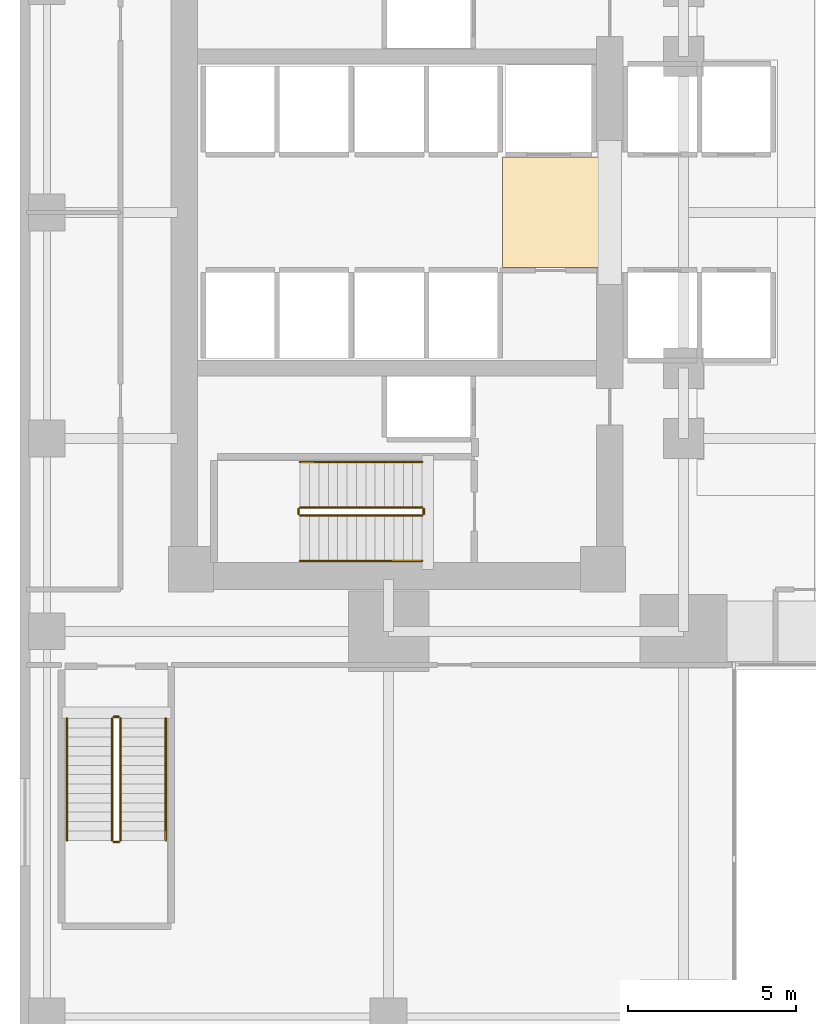
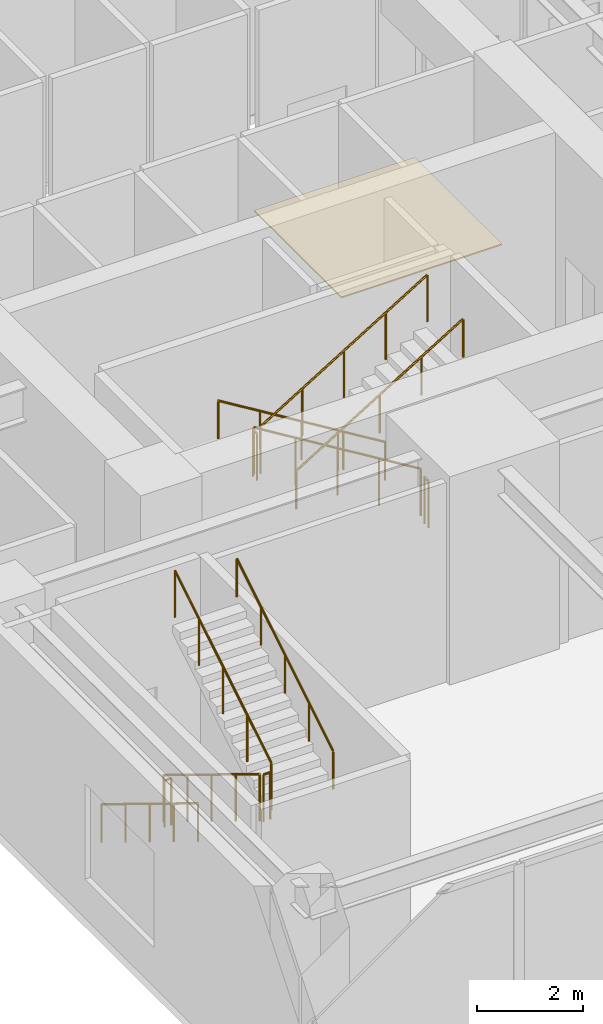
# One storey, part 12 of 13: 12 railings, 1 covering.
"""IFC4 building model written with IfcOpenShell, lengths in metres."""

from ifc_helpers import new_model, si_unit, direction, frame, origin, origin_2d, place, context, subcontext, project, spatial, polyline, circle, outline, extrude, material, layer, layer_set, type_object, element, save


model = new_model("IFC4")

# Units and contexts
model_context = context("Model", 3, precision=1e-05, world=origin(), true_north=direction((0.0, 1.0)))
body_context = subcontext(model_context, "Body", "Model", "MODEL_VIEW")
ifc_project = project(units=[si_unit("LENGTHUNIT", "METRE"), si_unit("AREAUNIT", "SQUARE_METRE"), si_unit("VOLUMEUNIT", "CUBIC_METRE"), si_unit("PLANEANGLEUNIT", "RADIAN"), si_unit("MASSUNIT", "GRAM", prefix="KILO")], contexts=[model_context])

# Site, building, storey
site_placement = place(None, origin())
site = spatial("IfcSite", under=ifc_project, at=site_placement, CompositionType="ELEMENT")
building_placement = place(site_placement, origin())
building = spatial("IfcBuilding", under=site, at=building_placement, Name="Kinhvarn Gate Tower", CompositionType="ELEMENT")
storey_placement = place(building_placement, frame((0.0, 0.0, 15.60009765625)))
storey = spatial("IfcBuildingStorey", under=building, at=storey_placement, Name="L03", CompositionType="ELEMENT", Elevation=15.60009765625)

# Covering
ifc_material_1 = material(Name="Honed granite architectural paving", Category="masonry")
ifc_layer = layer(ifc_material_1, 0.030029296875)
ifc_layer_set = layer_set([ifc_layer], Name="Honed granite architectural paving")
covering_type = type_object("IfcCoveringType", Name="COV-FLR-30", PredefinedType="FLOORING", material=ifc_layer_set)
covering_placement = place(storey_placement, origin())
element("IfcCovering", 1, at=covering_placement, inside=storey, type_object=covering_type, Name="Honed Granite Lift Lobby Flooring (L03)", PredefinedType="FLOORING", context=body_context, shape_type="SweptSolid", body=[
    extrude(outline(polyline([(14.39990234375, 23.60009765625), (14.39990234375, 26.89990234375), (17.89990234375, 26.89990234375), (17.89990234375, 23.60009765625), (14.39990234375, 23.60009765625)])), origin(), (0.0, 0.0, 1.0), 0.02978515625),
])

# Railings
ifc_material_2 = material(Name="Steel S355", Category="steel")
railing_type_1 = type_object("IfcRailingType", Name="RL-ST-GRD", PredefinedType="BALUSTRADE", material=ifc_material_2)
railing_1_placement = place(storey_placement, frame((12.0, 16.449951171875, 0.17138671875)))
element("IfcRailing", 2, at=railing_1_placement, inside=storey, type_object=railing_type_1, Name="L03 ST1 stair guard 1", PredefinedType="BALUSTRADE", context=body_context, shape_type="SweptSolid", body=[
    extrude(circle(Radius=0.02392578125, at=origin_2d()), frame((0.0, 0.0, 1.076171875), z_axis=(-0.852850264322, 0.0, 0.5221555579), x_axis=(0.0, -1.0, 0.0)), (0.0, 0.0, 1.0), 4.267822265625),
    extrude(circle(Radius=0.02099609375, at=origin_2d()), origin(), (0.0, 0.0, 1.0), 1.052001953125),
    extrude(circle(Radius=0.02099609375, at=origin_2d()), frame((-0.909912109375, 0.0, 0.55712890625)), (0.0, 0.0, 1.0), 1.052001953125),
    extrude(circle(Radius=0.02099609375, at=origin_2d()), frame((-1.81982421875, 0.0, 1.1142578125)), (0.0, 0.0, 1.0), 1.052001953125),
    extrude(circle(Radius=0.02099609375, at=origin_2d()), frame((-2.72998046875, 0.0, 1.67138671875)), (0.0, 0.0, 1.0), 1.052001953125),
    extrude(circle(Radius=0.02099609375, at=origin_2d()), frame((-3.639892578125, 0.0, 2.228515625)), (0.0, 0.0, 1.0), 1.052001953125),
])
railing_2_placement = place(storey_placement, frame((8.31005859375, 16.39990234375, 2.39990234375)))
element("IfcRailing", 3, at=railing_2_placement, inside=storey, type_object=railing_type_1, Name="L03 ST1 stair guard 2", PredefinedType="BALUSTRADE", context=body_context, shape_type="SweptSolid", body=[
    extrude(circle(Radius=0.02392578125, at=origin_2d()), frame((0.0, 0.0, 1.076171875), z_axis=(0.0, -1.0, 0.0), x_axis=(1.0, 0.0, 0.0)), (0.0, 0.0, 1.0), 0.14990234375),
    extrude(circle(Radius=0.02099609375, at=origin_2d()), origin(), (0.0, 0.0, 1.0), 1.052001953125),
    extrude(circle(Radius=0.02099609375, at=origin_2d()), frame((0.0, -0.14990234375, 0.0)), (0.0, 0.0, 1.0), 1.052001953125),
])
railing_3_placement = place(storey_placement, frame((8.360107421875, 16.199951171875, 2.5712890625)))
element("IfcRailing", 4, at=railing_3_placement, inside=storey, type_object=railing_type_1, Name="L03 ST1 stair guard 3", PredefinedType="BALUSTRADE", context=body_context, shape_type="SweptSolid", body=[
    extrude(circle(Radius=0.02392578125, at=origin_2d()), frame((0.0, 0.0, 1.076171875), z_axis=(0.852850264322, 0.0, 0.5221555579), x_axis=(0.0, 1.0, 0.0)), (0.0, 0.0, 1.0), 4.267822265625),
    extrude(circle(Radius=0.02099609375, at=origin_2d()), origin(), (0.0, 0.0, 1.0), 1.052001953125),
    extrude(circle(Radius=0.02099609375, at=origin_2d()), frame((0.909912109375, 0.0, 0.55712890625)), (0.0, 0.0, 1.0), 1.052001953125),
    extrude(circle(Radius=0.02099609375, at=origin_2d()), frame((1.81982421875, 0.0, 1.1142578125)), (0.0, 0.0, 1.0), 1.052001953125),
    extrude(circle(Radius=0.02099609375, at=origin_2d()), frame((2.72998046875, 0.0, 1.67138671875)), (0.0, 0.0, 1.0), 1.052001953125),
    extrude(circle(Radius=0.02099609375, at=origin_2d()), frame((3.639892578125, 0.0, 2.228515625)), (0.0, 0.0, 1.0), 1.052001953125),
])
railing_4_placement = place(storey_placement, frame((12.050048828125, 16.39990234375, 0.0)))
element("IfcRailing", 5, at=railing_4_placement, inside=storey, type_object=railing_type_1, Name="L03 ST1 stair guard 4", PredefinedType="BALUSTRADE", context=body_context, shape_type="SweptSolid", body=[
    extrude(circle(Radius=0.02392578125, at=origin_2d()), frame((0.0, 0.0, 1.076171875), z_axis=(0.0, -1.0, 0.0), x_axis=(1.0, 0.0, 0.0)), (0.0, 0.0, 1.0), 0.14990234375),
    extrude(circle(Radius=0.02099609375, at=origin_2d()), origin(), (0.0, 0.0, 1.0), 1.052001953125),
    extrude(circle(Radius=0.02099609375, at=origin_2d()), frame((0.0, -0.14990234375, 0.0)), (0.0, 0.0, 1.0), 1.052001953125),
])
railing_5_placement = place(storey_placement, frame((2.75, 10.14990234375, 0.17138671875)))
element("IfcRailing", 6, at=railing_5_placement, inside=storey, type_object=railing_type_1, Name="L03 ST3 stair guard 1", PredefinedType="BALUSTRADE", context=body_context, shape_type="SweptSolid", body=[
    extrude(circle(Radius=0.02392578125, at=origin_2d()), frame((0.0, 0.0, 1.076171875), z_axis=(0.0, -0.852850264322, 0.5221555579), x_axis=(1.0, 0.0, 0.0)), (0.0, 0.0, 1.0), 4.267822265625),
    extrude(circle(Radius=0.02099609375, at=origin_2d()), origin(), (0.0, 0.0, 1.0), 1.052001953125),
    extrude(circle(Radius=0.02099609375, at=origin_2d()), frame((0.0, -0.909912109375, 0.55712890625)), (0.0, 0.0, 1.0), 1.052001953125),
    extrude(circle(Radius=0.02099609375, at=origin_2d()), frame((0.0, -1.81982421875, 1.1142578125)), (0.0, 0.0, 1.0), 1.052001953125),
    extrude(circle(Radius=0.02099609375, at=origin_2d()), frame((0.0, -2.72998046875, 1.67138671875)), (0.0, 0.0, 1.0), 1.052001953125),
    extrude(circle(Radius=0.02099609375, at=origin_2d()), frame((0.0, -3.639892578125, 2.228515625)), (0.0, 0.0, 1.0), 1.052001953125),
])
railing_6_placement = place(storey_placement, frame((2.800048828125, 6.4599609375, 2.39990234375)))
element("IfcRailing", 7, at=railing_6_placement, inside=storey, type_object=railing_type_1, Name="L03 ST3 stair guard 2", PredefinedType="BALUSTRADE", context=body_context, shape_type="SweptSolid", body=[
    extrude(circle(Radius=0.02392578125, at=origin_2d()), frame((0.0, 0.0, 1.076171875), z_axis=(1.0, 0.0, 0.0), x_axis=(0.0, 1.0, 0.0)), (0.0, 0.0, 1.0), 0.14990234375),
    extrude(circle(Radius=0.02099609375, at=origin_2d()), origin(), (0.0, 0.0, 1.0), 1.052001953125),
    extrude(circle(Radius=0.02099609375, at=origin_2d()), frame((0.14990234375, 0.0, 0.0)), (0.0, 0.0, 1.0), 1.052001953125),
])
railing_7_placement = place(storey_placement, frame((3.0, 6.510009765625, 2.5712890625)))
element("IfcRailing", 8, at=railing_7_placement, inside=storey, type_object=railing_type_1, Name="L03 ST3 stair guard 3", PredefinedType="BALUSTRADE", context=body_context, shape_type="SweptSolid", body=[
    extrude(circle(Radius=0.02392578125, at=origin_2d()), frame((0.0, 0.0, 1.076171875), z_axis=(0.0, 0.852850264322, 0.5221555579), x_axis=(-1.0, 0.0, 0.0)), (0.0, 0.0, 1.0), 4.267822265625),
    extrude(circle(Radius=0.02099609375, at=origin_2d()), origin(), (0.0, 0.0, 1.0), 1.052001953125),
    extrude(circle(Radius=0.02099609375, at=origin_2d()), frame((0.0, 0.909912109375, 0.55712890625)), (0.0, 0.0, 1.0), 1.052001953125),
    extrude(circle(Radius=0.02099609375, at=origin_2d()), frame((0.0, 1.81982421875, 1.1142578125)), (0.0, 0.0, 1.0), 1.052001953125),
    extrude(circle(Radius=0.02099609375, at=origin_2d()), frame((0.0, 2.72998046875, 1.67138671875)), (0.0, 0.0, 1.0), 1.052001953125),
    extrude(circle(Radius=0.02099609375, at=origin_2d()), frame((0.0, 3.639892578125, 2.228515625)), (0.0, 0.0, 1.0), 1.052001953125),
])
railing_8_placement = place(storey_placement, frame((2.800048828125, 10.199951171875, 0.0)))
element("IfcRailing", 9, at=railing_8_placement, inside=storey, type_object=railing_type_1, Name="L03 ST3 stair guard 4", PredefinedType="BALUSTRADE", context=body_context, shape_type="SweptSolid", body=[
    extrude(circle(Radius=0.02392578125, at=origin_2d()), frame((0.0, 0.0, 1.076171875), z_axis=(1.0, 0.0, 0.0), x_axis=(0.0, 1.0, 0.0)), (0.0, 0.0, 1.0), 0.14990234375),
    extrude(circle(Radius=0.02099609375, at=origin_2d()), origin(), (0.0, 0.0, 1.0), 1.052001953125),
    extrude(circle(Radius=0.02099609375, at=origin_2d()), frame((0.14990234375, 0.0, 0.0)), (0.0, 0.0, 1.0), 1.052001953125),
])
railing_type_2 = type_object("IfcRailingType", Name="RL-ST-HND", PredefinedType="HANDRAIL", material=ifc_material_2)
railing_9_placement = place(storey_placement, frame((12.0, 17.800048828125, 0.17138671875)))
element("IfcRailing", 10, at=railing_9_placement, inside=storey, type_object=railing_type_2, Name="L03 ST1 stair handrail 1", PredefinedType="HANDRAIL", context=body_context, shape_type="SweptSolid", body=[
    extrude(circle(Radius=0.02392578125, at=origin_2d()), frame((0.0, 0.0, 0.8759765625), z_axis=(-0.852850264322, 0.0, 0.5221555579), x_axis=(0.0, -1.0, 0.0)), (0.0, 0.0, 1.0), 4.267822265625),
    extrude(circle(Radius=0.02099609375, at=origin_2d()), origin(), (0.0, 0.0, 1.0), 0.851806640625),
    extrude(circle(Radius=0.02099609375, at=origin_2d()), frame((-0.909912109375, 0.0, 0.55712890625)), (0.0, 0.0, 1.0), 0.851806640625),
    extrude(circle(Radius=0.02099609375, at=origin_2d()), frame((-1.81982421875, 0.0, 1.1142578125)), (0.0, 0.0, 1.0), 0.851806640625),
    extrude(circle(Radius=0.02099609375, at=origin_2d()), frame((-2.72998046875, 0.0, 1.67138671875)), (0.0, 0.0, 1.0), 0.851806640625),
    extrude(circle(Radius=0.02099609375, at=origin_2d()), frame((-3.639892578125, 0.0, 2.228515625)), (0.0, 0.0, 1.0), 0.851806640625),
])
railing_10_placement = place(storey_placement, frame((8.360107421875, 14.85009765625, 2.5712890625)))
element("IfcRailing", 11, at=railing_10_placement, inside=storey, type_object=railing_type_2, Name="L03 ST1 stair handrail 2", PredefinedType="HANDRAIL", context=body_context, shape_type="SweptSolid", body=[
    extrude(circle(Radius=0.02392578125, at=origin_2d()), frame((0.0, 0.0, 0.8759765625), z_axis=(0.852850264322, 0.0, 0.5221555579), x_axis=(0.0, 1.0, 0.0)), (0.0, 0.0, 1.0), 4.267822265625),
    extrude(circle(Radius=0.02099609375, at=origin_2d()), origin(), (0.0, 0.0, 1.0), 0.851806640625),
    extrude(circle(Radius=0.02099609375, at=origin_2d()), frame((0.909912109375, 0.0, 0.55712890625)), (0.0, 0.0, 1.0), 0.851806640625),
    extrude(circle(Radius=0.02099609375, at=origin_2d()), frame((1.81982421875, 0.0, 1.1142578125)), (0.0, 0.0, 1.0), 0.851806640625),
    extrude(circle(Radius=0.02099609375, at=origin_2d()), frame((2.72998046875, 0.0, 1.67138671875)), (0.0, 0.0, 1.0), 0.851806640625),
    extrude(circle(Radius=0.02099609375, at=origin_2d()), frame((3.639892578125, 0.0, 2.228515625)), (0.0, 0.0, 1.0), 0.851806640625),
])
railing_11_placement = place(storey_placement, frame((1.39990234375, 10.14990234375, 0.17138671875)))
element("IfcRailing", 12, at=railing_11_placement, inside=storey, type_object=railing_type_2, Name="L03 ST3 stair handrail 1", PredefinedType="HANDRAIL", context=body_context, shape_type="SweptSolid", body=[
    extrude(circle(Radius=0.02392578125, at=origin_2d()), frame((0.0, 0.0, 0.8759765625), z_axis=(0.0, -0.852850264322, 0.5221555579), x_axis=(1.0, 0.0, 0.0)), (0.0, 0.0, 1.0), 4.267822265625),
    extrude(circle(Radius=0.02099609375, at=origin_2d()), origin(), (0.0, 0.0, 1.0), 0.851806640625),
    extrude(circle(Radius=0.02099609375, at=origin_2d()), frame((0.0, -0.909912109375, 0.55712890625)), (0.0, 0.0, 1.0), 0.851806640625),
    extrude(circle(Radius=0.02099609375, at=origin_2d()), frame((0.0, -1.81982421875, 1.1142578125)), (0.0, 0.0, 1.0), 0.851806640625),
    extrude(circle(Radius=0.02099609375, at=origin_2d()), frame((0.0, -2.72998046875, 1.67138671875)), (0.0, 0.0, 1.0), 0.851806640625),
    extrude(circle(Radius=0.02099609375, at=origin_2d()), frame((0.0, -3.639892578125, 2.228515625)), (0.0, 0.0, 1.0), 0.851806640625),
])
railing_12_placement = place(storey_placement, frame((4.35009765625, 6.510009765625, 2.5712890625)))
element("IfcRailing", 13, at=railing_12_placement, inside=storey, type_object=railing_type_2, Name="L03 ST3 stair handrail 2", PredefinedType="HANDRAIL", context=body_context, shape_type="SweptSolid", body=[
    extrude(circle(Radius=0.02392578125, at=origin_2d()), frame((0.0, 0.0, 0.8759765625), z_axis=(0.0, 0.852850264322, 0.5221555579), x_axis=(-1.0, 0.0, 0.0)), (0.0, 0.0, 1.0), 4.267822265625),
    extrude(circle(Radius=0.02099609375, at=origin_2d()), origin(), (0.0, 0.0, 1.0), 0.851806640625),
    extrude(circle(Radius=0.02099609375, at=origin_2d()), frame((0.0, 0.909912109375, 0.55712890625)), (0.0, 0.0, 1.0), 0.851806640625),
    extrude(circle(Radius=0.02099609375, at=origin_2d()), frame((0.0, 1.81982421875, 1.1142578125)), (0.0, 0.0, 1.0), 0.851806640625),
    extrude(circle(Radius=0.02099609375, at=origin_2d()), frame((0.0, 2.72998046875, 1.67138671875)), (0.0, 0.0, 1.0), 0.851806640625),
    extrude(circle(Radius=0.02099609375, at=origin_2d()), frame((0.0, 3.639892578125, 2.228515625)), (0.0, 0.0, 1.0), 0.851806640625),
])

save(model, "model.ifc")
